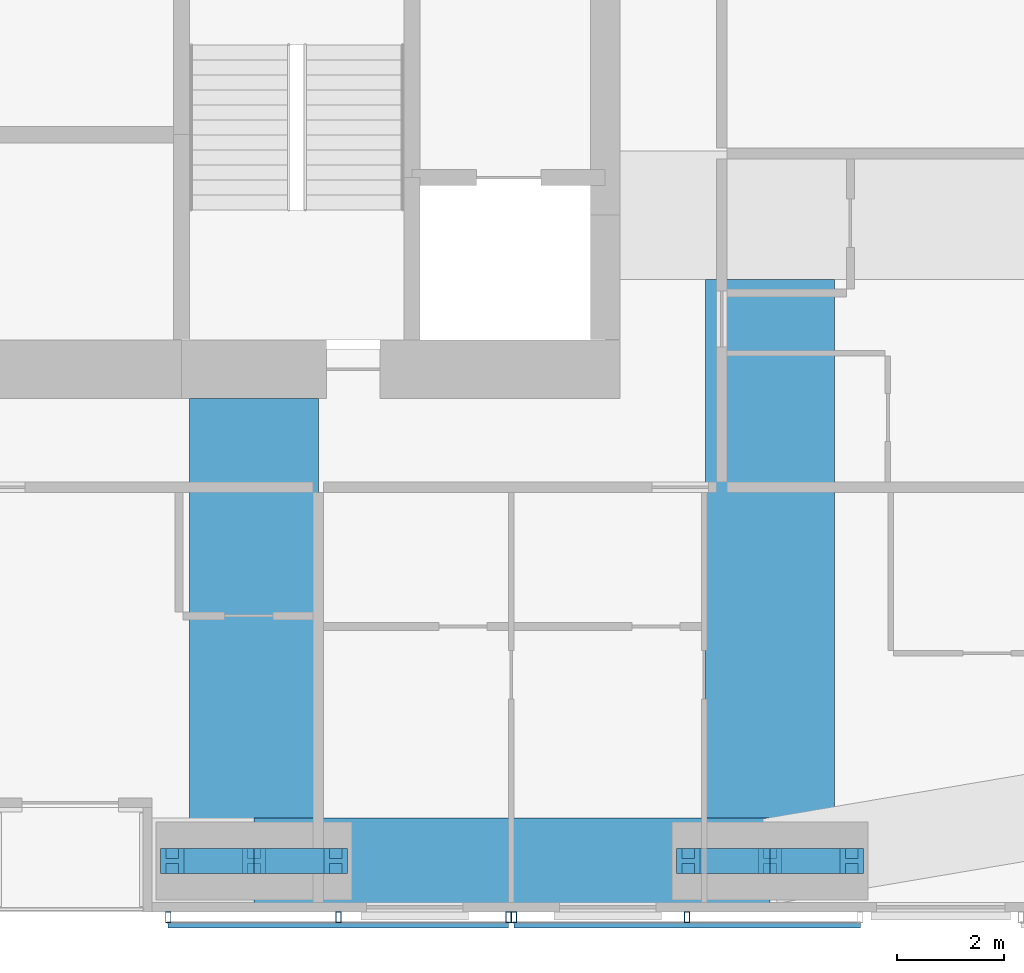
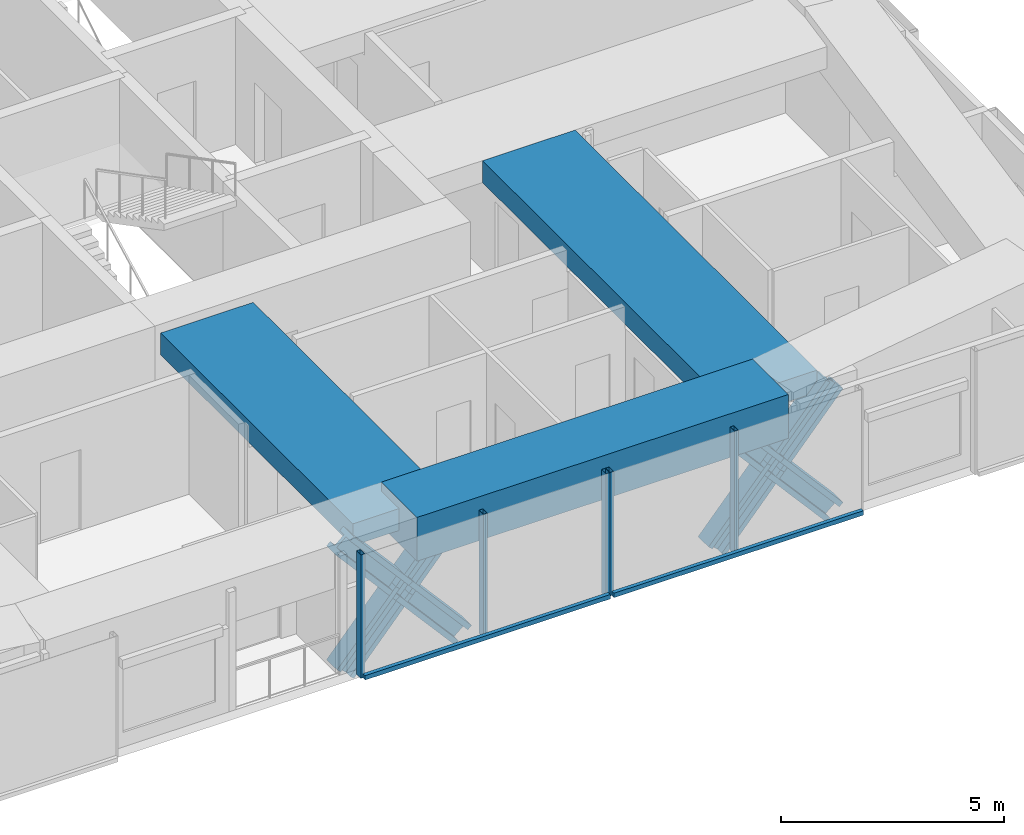
# One storey, part 5 of 19: 15 members, 3 beams, 2 elements without a shape of their own.
"""IFC4 building model written with IfcOpenShell, lengths in metres."""

import ifcopenshell
import ifcopenshell.guid

model = None  # the IFC model being written
_history = None  # IfcOwnerHistory: only IFC2X3 demands one
_inside = {}  # id of a spatial element -> (the spatial element, [elements in it])
_under = {}  # id of a project, library or spatial element -> (it, [spatial elements below it])
_declared = {}  # id of a project -> (the project, [libraries it declares])
_typed = {}  # id of a type object -> (the type object, [elements of that type])
_made_of = {}  # id of a material, layer set ... -> (it, [elements and type objects made of it])


def new_model(schema):
    """Start an empty IFC model of exactly this schema.

    Asked for "IFC4X3", IfcOpenShell would pick the latest addendum, in which some entities
    have other attributes; the version numbers below select the first issue.
    IFC2X3 requires an IfcOwnerHistory on every rooted entity: one is made here for all.
    """
    global model, _history
    if schema == "IFC4X3":
        model = ifcopenshell.file(schema_version=(4, 3, 0, 0))
    else:
        model = ifcopenshell.file(schema=schema)
    _inside.clear()
    _under.clear()
    _declared.clear()
    _typed.clear()
    _made_of.clear()
    _history = None
    if model.schema == "IFC2X3":
        org = make("IfcOrganization", Name="unknown")
        user = make(
            "IfcPersonAndOrganization",
            ThePerson=make("IfcPerson", FamilyName="unknown"),
            TheOrganization=org,
        )
        app = make(
            "IfcApplication",
            ApplicationDeveloper=org,
            Version="unknown",
            ApplicationFullName="unknown",
            ApplicationIdentifier="unknown",
        )
        _history = make(
            "IfcOwnerHistory",
            OwningUser=user,
            OwningApplication=app,
            ChangeAction="ADDED",
            CreationDate=0,
        )
    return model


def make(cls, **values):
    """One entity of the class cls with the attributes given. An attribute that is None is left unset."""
    return model.create_entity(
        cls, **{name: value for name, value in values.items() if value is not None}
    )


def rooted(cls, **values):
    """An entity with a GlobalId (a new one), such as an element, a storey or a relation."""
    return make(cls, GlobalId=ifcopenshell.guid.new(), OwnerHistory=_history, **values)


def si_unit(unit_type, name, prefix=None):
    """IfcSIUnit, for example si_unit("LENGTHUNIT", "METRE", prefix="MILLI")."""
    return make("IfcSIUnit", UnitType=unit_type, Prefix=prefix, Name=name)


def assignment(units):
    """IfcUnitAssignment: the units of a project."""
    return None if units is None else make("IfcUnitAssignment", Units=units)


def point(xyz):
    """IfcCartesianPoint."""
    return None if xyz is None else make("IfcCartesianPoint", Coordinates=xyz)


def direction(xyz):
    """IfcDirection."""
    return None if xyz is None else make("IfcDirection", DirectionRatios=xyz)


def frame(location, z_axis=None, x_axis=None):
    """IfcAxis2Placement3D, a coordinate frame: its origin and axes. An axis left out is left unset."""
    return make(
        "IfcAxis2Placement3D",
        Location=point(location),
        Axis=direction(z_axis),
        RefDirection=direction(x_axis),
    )


def frame_2d(location, x_axis=None):
    """IfcAxis2Placement2D, a coordinate frame in the plane: its origin and x axis."""
    return make(
        "IfcAxis2Placement2D", Location=point(location), RefDirection=direction(x_axis)
    )


def origin():
    """The frame at (0, 0, 0) with its axes left unset."""
    return frame((0.0, 0.0, 0.0))


def origin_2d():
    """The frame at (0, 0) in the plane with its x axis left unset."""
    return frame_2d((0.0, 0.0))


def place(relative_to, where):
    """IfcLocalPlacement: puts the frame where relative to a parent placement (None: the world)."""
    return make(
        "IfcLocalPlacement", PlacementRelTo=relative_to, RelativePlacement=where
    )


def context(
    kind, dimensions, precision=None, world=None, true_north=None, identifier=None
):
    """IfcGeometricRepresentationContext, for example the 3D "Model" context."""
    return make(
        "IfcGeometricRepresentationContext",
        ContextIdentifier=identifier,
        ContextType=kind,
        CoordinateSpaceDimension=dimensions,
        Precision=precision,
        WorldCoordinateSystem=world,
        TrueNorth=true_north,
    )


def subcontext(parent, identifier, kind, view, scale=None):
    """IfcGeometricRepresentationSubContext, for example "Body" below "Model"."""
    return make(
        "IfcGeometricRepresentationSubContext",
        ContextIdentifier=identifier,
        ContextType=kind,
        ParentContext=parent,
        TargetScale=scale,
        TargetView=view,
    )


def project(units=None, contexts=None):
    """IfcProject with its units and contexts."""
    return rooted(
        "IfcProject",
        Name="project",
        RepresentationContexts=contexts,
        UnitsInContext=assignment(units),
    )


def spatial(cls, under=None, at=None, **own):
    """A site, building, storey or space (cls), placed at a placement, below another one or the project."""
    s = rooted(cls, ObjectPlacement=at, **own)
    if under is not None:
        _under.setdefault(under.id(), (under, []))[1].append(s)
    return s


def profile(cls, at=None, kind="AREA", **sizes):
    """A parametric profile (cls). Its sizes go by their IFC names, for example OverallWidth=200.0."""
    return make(cls, ProfileType=kind, Position=at, **sizes)


def rectangle(**sizes):
    """IfcRectangleProfileDef."""
    return profile("IfcRectangleProfileDef", **sizes)


def hollow_rectangle(**sizes):
    """IfcRectangleHollowProfileDef."""
    return profile("IfcRectangleHollowProfileDef", **sizes)


def i_section(**sizes):
    """IfcIShapeProfileDef."""
    return profile("IfcIShapeProfileDef", **sizes)


def extrude(swept, where, along, depth):
    """IfcExtrudedAreaSolid: the profile swept, set in the frame where, extruded along a direction by depth."""
    return make(
        "IfcExtrudedAreaSolid",
        SweptArea=swept,
        Position=where,
        ExtrudedDirection=direction(along),
        Depth=depth,
    )


def shape(context_of_items, identifier, shape_type, items):
    """IfcShapeRepresentation: the items that make up one representation, for example the "Body"."""
    return make(
        "IfcShapeRepresentation",
        ContextOfItems=context_of_items,
        RepresentationIdentifier=identifier,
        RepresentationType=shape_type,
        Items=items,
    )


def material(Name=None, Category=None):
    """IfcMaterial."""
    return make("IfcMaterial", Name=Name, Category=Category)


def material_profile(
    of_material, cross_section, Name=None, Category=None, Priority=None
):
    """IfcMaterialProfile: a cross section and its material."""
    return make(
        "IfcMaterialProfile",
        Name=Name,
        Material=of_material,
        Profile=cross_section,
        Priority=Priority,
        Category=Category,
    )


def profile_set(profiles, Name=None, composite=None):
    """IfcMaterialProfileSet."""
    return make(
        "IfcMaterialProfileSet",
        Name=Name,
        MaterialProfiles=profiles,
        CompositeProfile=composite,
    )


def made_of(thing, what):
    """Note that an element or type object is made of a material, layer set ...; save() writes the relation."""
    if what is not None:
        _made_of.setdefault(what.id(), (what, []))[1].append(thing)
    return thing


def type_object(cls, material=None, **own):
    """A type object (cls), such as IfcWallType, which elements share."""
    return made_of(rooted(cls, **own), material)


def element(
    cls,
    number,
    at=None,
    inside=None,
    cuts=None,
    type_object=None,
    material=None,
    context=None,
    identifier="Body",
    shape_type=None,
    held_by="IfcProductDefinitionShape",
    body=None,
    shapes=None,
    **own,
):
    """One element of the class cls, such as IfcWall. Its Tag is "e" and its number.

    at: its placement. inside: the storey or other place that contains it. cuts: it is an
    opening in that element (IfcRelVoidsElement). A single representation is given by context,
    identifier, shape_type and body (its items); several are given by shapes. held_by: the class
    of the entity that holds the representations. save() writes the other relations.
    """
    e = rooted(cls, Tag="e%d" % number, ObjectPlacement=at, **own)
    if body is not None:
        shapes = [shape(context, identifier, shape_type, body)]
    if shapes is not None:
        e.Representation = make(held_by, Representations=shapes)
    if inside is not None:
        _inside.setdefault(inside.id(), (inside, []))[1].append(e)
    if cuts is not None:
        rooted(
            "IfcRelVoidsElement", RelatingBuildingElement=cuts, RelatedOpeningElement=e
        )
    if type_object is not None:
        _typed.setdefault(type_object.id(), (type_object, []))[1].append(e)
    return made_of(e, material)


def aggregate(whole, parts):
    """IfcRelAggregates: a whole, such as a stair, and the parts it consists of."""
    return rooted("IfcRelAggregates", RelatingObject=whole, RelatedObjects=parts)


def save(model, path):
    """Write the relations noted so far, then the file.

    IfcRelAggregates (storeys below a building ...), IfcRelContainedInSpatialStructure (elements
    in a storey), IfcRelDefinesByType, IfcRelAssociatesMaterial and IfcRelDeclares: one each for
    every whole, place, type object, material and project.
    """
    for whole, parts in _under.values():
        aggregate(whole, parts)
    for where, things in _inside.values():
        rooted(
            "IfcRelContainedInSpatialStructure",
            RelatedElements=things,
            RelatingStructure=where,
        )
    for kind, things in _typed.values():
        rooted("IfcRelDefinesByType", RelatedObjects=things, RelatingType=kind)
    for what, things in _made_of.values():
        rooted("IfcRelAssociatesMaterial", RelatedObjects=things, RelatingMaterial=what)
    for by, libraries in _declared.values():
        rooted("IfcRelDeclares", RelatingContext=by, RelatedDefinitions=libraries)
    model.write(path)


model = new_model("IFC4")

# Units and contexts
model_context = context("Model", 3, precision=1e-05, world=origin(), true_north=direction((0.0, 1.0)))
body_context = subcontext(model_context, "Body", "Model", "MODEL_VIEW")
ifc_project = project(units=[si_unit("LENGTHUNIT", "METRE"), si_unit("AREAUNIT", "SQUARE_METRE"), si_unit("VOLUMEUNIT", "CUBIC_METRE"), si_unit("PLANEANGLEUNIT", "RADIAN"), si_unit("MASSUNIT", "GRAM", prefix="KILO")], contexts=[model_context])

# Site, building, storey
site_placement = place(None, origin())
site = spatial("IfcSite", under=ifc_project, at=site_placement, CompositionType="ELEMENT")
building_placement = place(site_placement, origin())
building = spatial("IfcBuilding", under=site, at=building_placement, Name="Jalousie Tower", CompositionType="ELEMENT")
storey_placement = place(building_placement, frame((0.0, 0.0, 224.949951171875)))
storey = spatial("IfcBuildingStorey", under=building, at=storey_placement, Name="L61", CompositionType="ELEMENT", Elevation=224.949951171875)

# Members
ifc_material_1 = material(Name="Steel ASTM A992 Grade 50", Category="steel")
ifc_material_profile_1 = material_profile(ifc_material_1, i_section(OverallWidth=0.472412109375, OverallDepth=0.5791015625, WebThickness=0.094970703125, FlangeThickness=0.1298828125, at=origin_2d()), Name="W14X808")
ifc_profile_set_1 = profile_set([ifc_material_profile_1], Name="Steel ASTM A992 Grade 50")
member_type_1 = type_object("IfcMemberType", Name="PERIMETER BRACE W14X808", PredefinedType="BRACE", material=ifc_profile_set_1)
for number, where, z_axis, x_axis, name in (
    (1, (35.72509765625, 0.949951171875, -0.599853515625), (0.65695436777, 0.0, 0.753930340726), (0.0, 1.0, 0.0), "Perimeter brace 03 L61 part 1"),
    (2, (37.25, 0.949951171875, 1.150146484375), (0.65695436777, 0.0, 0.753930340726), (0.0, 1.0, 0.0), "Perimeter brace 03 L61 part 2"),
    (3, (38.77490234375, 0.949951171875, -0.599853515625), (-0.65695436777, 0.0, 0.753930340726), (0.0, -1.0, 0.0), "Perimeter brace 03 L61 part 3"),
    (4, (37.25, 0.949951171875, 1.150146484375), (-0.65695436777, 0.0, 0.753930340726), (0.0, -1.0, 0.0), "Perimeter brace 03 L61 part 4"),
    (5, (45.35009765625, 0.949951171875, -0.599853515625), (0.65695436777, 0.0, 0.753930340726), (0.0, 1.0, 0.0), "Perimeter brace 04 L61 part 1"),
    (6, (46.875, 0.949951171875, 1.150146484375), (0.65695436777, 0.0, 0.753930340726), (0.0, 1.0, 0.0), "Perimeter brace 04 L61 part 2"),
    (7, (48.39990234375, 0.949951171875, -0.599853515625), (-0.65695436777, 0.0, 0.753930340726), (0.0, -1.0, 0.0), "Perimeter brace 04 L61 part 3"),
    (8, (46.875, 0.949951171875, 1.150146484375), (-0.65695436777, 0.0, 0.753930340726), (0.0, -1.0, 0.0), "Perimeter brace 04 L61 part 4"),
):
    element("IfcMember", number, at=place(storey_placement, frame(where, z_axis=z_axis, x_axis=x_axis)), inside=storey, type_object=member_type_1, Name=name, PredefinedType="BRACE", context=body_context, shape_type="SweptSolid", body=[
        extrude(i_section(OverallWidth=0.472412109375, OverallDepth=0.5791015625, WebThickness=0.094970703125, FlangeThickness=0.1298828125, at=origin_2d()), origin(), (0.0, 0.0, 1.0), 2.3212890625),
    ])

# Beams
ifc_material_2 = material(Name="Concrete f'c 40 MPa", Category="concrete")
ifc_material_profile_2 = material_profile(ifc_material_2, rectangle(XDim=1.60009765625, YDim=1.199951171875, at=origin_2d()), Name="RC 1600x1200")
ifc_profile_set_2 = profile_set([ifc_material_profile_2], Name="Concrete f'c 40 MPa")
beam_type_1 = type_object("IfcBeamType", Name="RC BEAM 1600x1200", PredefinedType="BEAM", material=ifc_profile_set_2)
beam_1_placement = place(storey_placement, frame((37.25, 0.949951171875, 2.900146484375), z_axis=(1.0, 0.0, 0.0), x_axis=(0.0, 1.0, 0.0)))
element("IfcBeam", 9, at=beam_1_placement, inside=storey, type_object=beam_type_1, Name="Edge band beam 03-04 under L62", PredefinedType="BEAM", context=body_context, shape_type="SweptSolid", body=[
    extrude(rectangle(XDim=1.60009765625, YDim=1.199951171875, at=origin_2d()), origin(), (0.0, 0.0, 1.0), 9.625),
])
ifc_material_3 = material(Name="Concrete f'c 40 MPa", Category="concrete")
ifc_material_profile_3 = material_profile(ifc_material_3, rectangle(XDim=2.39990234375, YDim=0.60009765625, at=origin_2d()), Name="RC 2400x600")
ifc_profile_set_3 = profile_set([ifc_material_profile_3], Name="Concrete f'c 40 MPa")
beam_type_2 = type_object("IfcBeamType", Name="RC BEAM 2400x600", PredefinedType="BEAM", material=ifc_profile_set_3)
beam_2_placement = place(storey_placement, frame((37.25, 0.949951171875, 2.9599609375), z_axis=(0.0, 1.0, 0.0), x_axis=(-1.0, 0.0, 0.0)))
element("IfcBeam", 10, at=beam_2_placement, inside=storey, type_object=beam_type_2, Name="Floor band beam under L62", PredefinedType="BEAM", context=body_context, shape_type="SweptSolid", body=[
    extrude(rectangle(XDim=2.39990234375, YDim=0.60009765625, at=origin_2d()), origin(), (0.0, 0.0, 1.0), 8.625),
])
beam_3_placement = place(storey_placement, frame((46.875, 0.949951171875, 2.9599609375), z_axis=(0.0, 1.0, 0.0), x_axis=(-1.0, 0.0, 0.0)))
element("IfcBeam", 11, at=beam_3_placement, inside=storey, type_object=beam_type_2, Name="Floor band beam under L62", PredefinedType="BEAM", context=body_context, shape_type="SweptSolid", body=[
    extrude(rectangle(XDim=2.39990234375, YDim=0.60009765625, at=origin_2d()), origin(), (0.0, 0.0, 1.0), 10.85009765625),
])

# Curtain wall, members
ifc_material_4 = material(Name="Perforated aluminium sheet", Category="aluminium")
curtain_wall_type = type_object("IfcCurtainWallType", Name="SOLAR SCREEN SS-2", PredefinedType="USERDEFINED", material=ifc_material_4)
curtain_wall_1_placement = place(storey_placement, origin())
curtain_wall_1 = element("IfcCurtainWall", 12, at=curtain_wall_1_placement, inside=storey, type_object=curtain_wall_type, Name="Solar screen L61", ObjectType="SOLAR SCREEN SS-2", PredefinedType="USERDEFINED")
ifc_material_5 = material(Name="Steel ASTM A500 Grade C", Category="steel")
ifc_material_profile_4 = material_profile(ifc_material_5, hollow_rectangle(XDim=0.1015625, YDim=0.203125, WallThickness=0.0078125, at=origin_2d()), Name="HSS8X4X5/16")
ifc_profile_set_4 = profile_set([ifc_material_profile_4], Name="Steel ASTM A500 Grade C")
member_type_2 = type_object("IfcMemberType", Name="SOLAR SCREEN SS-2 MULLION", PredefinedType="MULLION", material=ifc_profile_set_4)
member_1_placement = place(storey_placement, frame((35.64990234375, -0.0966796875, -0.119873046875), z_axis=(0.0, 0.0, 1.0), x_axis=(1.0, 0.0, 0.0)))
member_1 = element("IfcMember", 13, at=member_1_placement, type_object=member_type_2, Name="SS2 post 1", PredefinedType="MULLION", context=body_context, shape_type="SweptSolid", body=[
    extrude(hollow_rectangle(XDim=0.1015625, YDim=0.203125, WallThickness=0.0078125, at=origin_2d()), origin(), (0.0, 0.0, 1.0), 3.3798828125),
])
member_2_placement = place(storey_placement, frame((38.824951171875, -0.0966796875, -0.119873046875), z_axis=(0.0, 0.0, 1.0), x_axis=(1.0, 0.0, 0.0)))
member_2 = element("IfcMember", 14, at=member_2_placement, type_object=member_type_2, Name="SS2 post 2", PredefinedType="MULLION", context=body_context, shape_type="SweptSolid", body=[
    extrude(hollow_rectangle(XDim=0.1015625, YDim=0.203125, WallThickness=0.0078125, at=origin_2d()), origin(), (0.0, 0.0, 1.0), 3.3798828125),
])
member_3_placement = place(storey_placement, frame((42.0, -0.0966796875, -0.119873046875), z_axis=(0.0, 0.0, 1.0), x_axis=(1.0, 0.0, 0.0)))
member_3 = element("IfcMember", 15, at=member_3_placement, type_object=member_type_2, Name="SS2 post 3", PredefinedType="MULLION", context=body_context, shape_type="SweptSolid", body=[
    extrude(hollow_rectangle(XDim=0.1015625, YDim=0.203125, WallThickness=0.0078125, at=origin_2d()), origin(), (0.0, 0.0, 1.0), 3.3798828125),
])

curtain_wall_2_placement = place(storey_placement, origin())
curtain_wall_2 = element("IfcCurtainWall", 16, at=curtain_wall_2_placement, inside=storey, type_object=curtain_wall_type, Name="Solar screen L61", ObjectType="SOLAR SCREEN SS-2", PredefinedType="USERDEFINED")
member_4_placement = place(storey_placement, frame((42.10009765625, -0.0966796875, -0.119873046875), z_axis=(0.0, 0.0, 1.0), x_axis=(1.0, 0.0, 0.0)))
member_4 = element("IfcMember", 17, at=member_4_placement, type_object=member_type_2, Name="SS2 post 1", PredefinedType="MULLION", context=body_context, shape_type="SweptSolid", body=[
    extrude(hollow_rectangle(XDim=0.1015625, YDim=0.203125, WallThickness=0.0078125, at=origin_2d()), origin(), (0.0, 0.0, 1.0), 3.3798828125),
])
member_5_placement = place(storey_placement, frame((45.32958984375, -0.0966796875, -0.119873046875), z_axis=(0.0, 0.0, 1.0), x_axis=(1.0, 0.0, 0.0)))
member_5 = element("IfcMember", 18, at=member_5_placement, type_object=member_type_2, Name="SS2 post 2", PredefinedType="MULLION", context=body_context, shape_type="SweptSolid", body=[
    extrude(hollow_rectangle(XDim=0.1015625, YDim=0.203125, WallThickness=0.0078125, at=origin_2d()), origin(), (0.0, 0.0, 1.0), 3.3798828125),
])

# Member
ifc_material_6 = material(Name="Extruded aluminium screen rail", Category="aluminium")
ifc_material_profile_5 = material_profile(ifc_material_6, rectangle(XDim=0.1015625, YDim=0.1201171875, at=origin_2d()), Name="RAIL 102x120")
ifc_profile_set_5 = profile_set([ifc_material_profile_5], Name="Extruded aluminium screen rail")
member_type_3 = type_object("IfcMemberType", Name="SOLAR SCREEN SS-2 TRANSOM", PredefinedType="USERDEFINED", material=ifc_profile_set_5)
member_6_placement = place(storey_placement, frame((35.64990234375, -0.2490234375, -0.06005859375), z_axis=(1.0, 0.0, 0.0), x_axis=(0.0, 1.0, 0.0)))
member_6 = element("IfcMember", 19, at=member_6_placement, type_object=member_type_3, Name="SS2 rail", ObjectType="TRANSOM", PredefinedType="USERDEFINED", context=body_context, shape_type="SweptSolid", body=[
    extrude(rectangle(XDim=0.1015625, YDim=0.1201171875, at=origin_2d()), origin(), (0.0, 0.0, 1.0), 6.35009765625),
])

aggregate(curtain_wall_1, [member_1, member_2, member_3, member_6])

member_7_placement = place(storey_placement, frame((42.10009765625, -0.2490234375, -0.06005859375), z_axis=(1.0, 0.0, 0.0), x_axis=(0.0, 1.0, 0.0)))
member_7 = element("IfcMember", 20, at=member_7_placement, type_object=member_type_3, Name="SS2 rail", ObjectType="TRANSOM", PredefinedType="USERDEFINED", context=body_context, shape_type="SweptSolid", body=[
    extrude(rectangle(XDim=0.1015625, YDim=0.1201171875, at=origin_2d()), origin(), (0.0, 0.0, 1.0), 6.459228515625),
])

aggregate(curtain_wall_2, [member_4, member_5, member_7])

save(model, "model.ifc")
